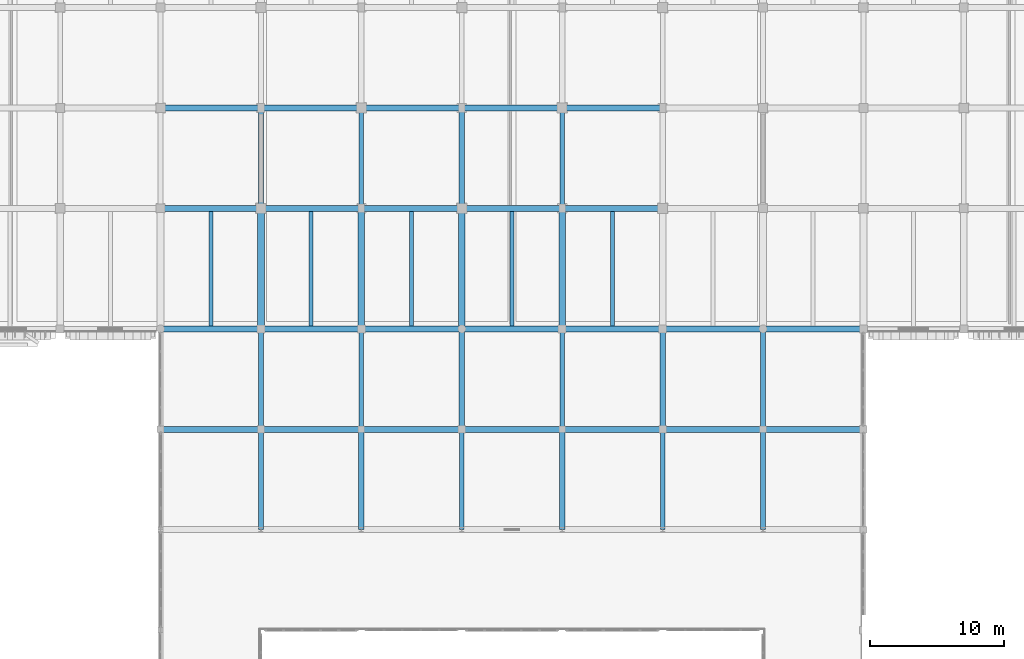
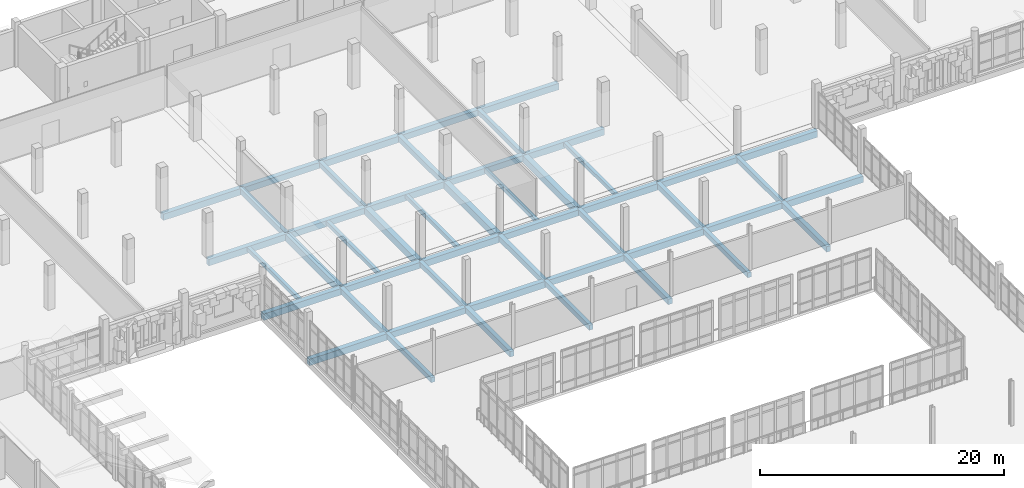
# One storey, part 51 of 128: 49 beams.
"""IFC4 building model written with IfcOpenShell, lengths in metres."""

from ifc_helpers import new_model, si_unit, direction, frame, origin, origin_2d, place, context, subcontext, project, spatial, rectangle, extrude, material, material_profile, profile_set, type_object, element, save


model = new_model("IFC4")

# Units and contexts
model_context = context("Model", 3, precision=1e-05, world=origin(), true_north=direction((0.0, 1.0)))
body_context = subcontext(model_context, "Body", "Model", "MODEL_VIEW")
ifc_project = project(units=[si_unit("LENGTHUNIT", "METRE"), si_unit("AREAUNIT", "SQUARE_METRE"), si_unit("VOLUMEUNIT", "CUBIC_METRE"), si_unit("PLANEANGLEUNIT", "RADIAN"), si_unit("MASSUNIT", "GRAM", prefix="KILO")], contexts=[model_context])

# Site, building, storey
site_placement = place(None, origin())
site = spatial("IfcSite", under=ifc_project, at=site_placement, CompositionType="ELEMENT")
building_placement = place(site_placement, origin())
building = spatial("IfcBuilding", under=site, at=building_placement, Name="Dalvernix Boulevard General Hospital", CompositionType="ELEMENT")
storey_placement = place(building_placement, frame((0.0, 0.0, 4.800048828125)))
storey = spatial("IfcBuildingStorey", under=building, at=storey_placement, Name="L01", CompositionType="ELEMENT", Elevation=4.800048828125)

# Beams
ifc_material = material(Name="Concrete C35/45", Category="concrete")
ifc_material_profile_1 = material_profile(ifc_material, rectangle(XDim=0.5, YDim=0.699951171875, at=origin_2d()), Name="RCB 500x700")
ifc_profile_set_1 = profile_set([ifc_material_profile_1], Name="Concrete C35/45")
beam_type_1 = type_object("IfcBeamType", Name="BM-B-01-I", PredefinedType="BEAM", material=ifc_profile_set_1)
for number, where, z_axis, x_axis, name in (
    (1, (67.5, 76.5, -0.650146484375), (0.0, 1.0, 0.0), (-1.0, 0.0, 0.0), "L01 N-S girder 10:L-M"),
    (2, (75.0, 76.5, -0.650146484375), (0.0, 1.0, 0.0), (-1.0, 0.0, 0.0), "L01 N-S girder 11:L-M"),
    (3, (82.5, 76.5, -0.650146484375), (0.0, 1.0, 0.0), (-1.0, 0.0, 0.0), "L01 N-S girder 12:L-M"),
    (4, (90.0, 76.5, -0.650146484375), (0.0, 1.0, 0.0), (-1.0, 0.0, 0.0), "L01 N-S girder 13:L-M"),
):
    element("IfcBeam", number, at=place(storey_placement, frame(where, z_axis=z_axis, x_axis=x_axis)), inside=storey, type_object=beam_type_1, Name=name, PredefinedType="BEAM", context=body_context, shape_type="SweptSolid", body=[
        extrude(rectangle(XDim=0.5, YDim=0.699951171875, at=origin_2d()), origin(), (0.0, 0.0, 1.0), 9.0),
    ])
ifc_material_profile_2 = material_profile(ifc_material, rectangle(XDim=0.449951171875, YDim=0.64990234375, at=origin_2d()), Name="RCB 450x650")
ifc_profile_set_2 = profile_set([ifc_material_profile_2], Name="Concrete C35/45")
beam_type_2 = type_object("IfcBeamType", Name="BM-B-03-I", PredefinedType="BEAM", material=ifc_profile_set_2)
for number, where, z_axis, x_axis, name in (
    (5, (60.0, 69.0, -0.625), (1.0, 0.0, 0.0), (0.0, 1.0, 0.0), "L01 E-W girder K:9-10"),
    (6, (75.0, 69.0, -0.625), (1.0, 0.0, 0.0), (0.0, 1.0, 0.0), "L01 E-W girder K:11-12"),
    (7, (90.0, 69.0, -0.625), (1.0, 0.0, 0.0), (0.0, 1.0, 0.0), "L01 E-W girder K:13-14"),
    (8, (105.0, 69.0, -0.625), (1.0, 0.0, 0.0), (0.0, 1.0, 0.0), "L01 E-W girder K:15-16"),
    (9, (60.0, 76.5, -0.625), (1.0, 0.0, 0.0), (0.0, 1.0, 0.0), "L01 E-W girder L:9-10"),
    (10, (75.0, 76.5, -0.625), (1.0, 0.0, 0.0), (0.0, 1.0, 0.0), "L01 E-W girder L:11-12"),
    (11, (90.0, 76.5, -0.625), (1.0, 0.0, 0.0), (0.0, 1.0, 0.0), "L01 E-W girder L:13-14"),
    (12, (105.0, 76.5, -0.625), (1.0, 0.0, 0.0), (0.0, 1.0, 0.0), "L01 E-W girder L:15-16"),
    (13, (60.0, 85.5, -0.625), (1.0, 0.0, 0.0), (0.0, 1.0, 0.0), "L01 E-W girder M:9-10"),
    (14, (75.0, 85.5, -0.625), (1.0, 0.0, 0.0), (0.0, 1.0, 0.0), "L01 E-W girder M:11-12"),
    (15, (90.0, 85.5, -0.625), (1.0, 0.0, 0.0), (0.0, 1.0, 0.0), "L01 E-W girder M:13-14"),
    (16, (60.0, 93.0, -0.625), (1.0, 0.0, 0.0), (0.0, 1.0, 0.0), "L01 E-W girder N:9-10"),
    (17, (75.0, 93.0, -0.625), (1.0, 0.0, 0.0), (0.0, 1.0, 0.0), "L01 E-W girder N:11-12"),
    (18, (90.0, 93.0, -0.625), (1.0, 0.0, 0.0), (0.0, 1.0, 0.0), "L01 E-W girder N:13-14"),
):
    element("IfcBeam", number, at=place(storey_placement, frame(where, z_axis=z_axis, x_axis=x_axis)), inside=storey, type_object=beam_type_2, Name=name, PredefinedType="BEAM", context=body_context, shape_type="SweptSolid", body=[
        extrude(rectangle(XDim=0.449951171875, YDim=0.64990234375, at=origin_2d()), origin(), (0.0, 0.0, 1.0), 7.5),
    ])
ifc_material_profile_3 = material_profile(ifc_material, rectangle(XDim=0.449951171875, YDim=0.60009765625, at=origin_2d()), Name="RCB 450x600")
ifc_profile_set_3 = profile_set([ifc_material_profile_3], Name="Concrete C35/45")
beam_type_3 = type_object("IfcBeamType", Name="BM-B-04-I", PredefinedType="BEAM", material=ifc_profile_set_3)
for number, where, z_axis, x_axis, name in (
    (19, (67.5, 69.0, -0.60009765625), (1.0, 0.0, 0.0), (0.0, 1.0, 0.0), "L01 E-W girder K:10-11"),
    (20, (82.5, 69.0, -0.60009765625), (1.0, 0.0, 0.0), (0.0, 1.0, 0.0), "L01 E-W girder K:12-13"),
    (21, (97.5, 69.0, -0.60009765625), (1.0, 0.0, 0.0), (0.0, 1.0, 0.0), "L01 E-W girder K:14-15"),
    (22, (67.5, 76.5, -0.60009765625), (1.0, 0.0, 0.0), (0.0, 1.0, 0.0), "L01 E-W girder L:10-11"),
    (23, (82.5, 76.5, -0.60009765625), (1.0, 0.0, 0.0), (0.0, 1.0, 0.0), "L01 E-W girder L:12-13"),
    (24, (97.5, 76.5, -0.60009765625), (1.0, 0.0, 0.0), (0.0, 1.0, 0.0), "L01 E-W girder L:14-15"),
    (25, (67.5, 85.5, -0.60009765625), (1.0, 0.0, 0.0), (0.0, 1.0, 0.0), "L01 E-W girder M:10-11"),
    (26, (82.5, 85.5, -0.60009765625), (1.0, 0.0, 0.0), (0.0, 1.0, 0.0), "L01 E-W girder M:12-13"),
    (27, (67.5, 93.0, -0.60009765625), (1.0, 0.0, 0.0), (0.0, 1.0, 0.0), "L01 E-W girder N:10-11"),
    (28, (82.5, 93.0, -0.60009765625), (1.0, 0.0, 0.0), (0.0, 1.0, 0.0), "L01 E-W girder N:12-13"),
):
    element("IfcBeam", number, at=place(storey_placement, frame(where, z_axis=z_axis, x_axis=x_axis)), inside=storey, type_object=beam_type_3, Name=name, PredefinedType="BEAM", context=body_context, shape_type="SweptSolid", body=[
        extrude(rectangle(XDim=0.449951171875, YDim=0.60009765625, at=origin_2d()), origin(), (0.0, 0.0, 1.0), 7.5),
    ])
ifc_material_profile_4 = material_profile(ifc_material, rectangle(XDim=0.39990234375, YDim=0.550048828125, at=origin_2d()), Name="RCB 400x550")
ifc_profile_set_4 = profile_set([ifc_material_profile_4], Name="Concrete C35/45")
beam_type_4 = type_object("IfcBeamType", Name="BM-B-06-I", PredefinedType="BEAM", material=ifc_profile_set_4)
for number, where, z_axis, x_axis, name in (
    (29, (67.5, 69.0, -0.574951171875), (0.0, 1.0, 0.0), (-1.0, 0.0, 0.0), "L01 N-S girder 10:K-L"),
    (30, (67.5, 85.5, -0.574951171875), (0.0, 1.0, 0.0), (-1.0, 0.0, 0.0), "L01 N-S girder 10:M-N"),
    (31, (75.0, 61.5, -0.574951171875), (0.0, 1.0, 0.0), (-1.0, 0.0, 0.0), "L01 N-S girder 11:J-K"),
    (32, (82.5, 69.0, -0.574951171875), (0.0, 1.0, 0.0), (-1.0, 0.0, 0.0), "L01 N-S girder 12:K-L"),
    (33, (82.5, 85.5, -0.574951171875), (0.0, 1.0, 0.0), (-1.0, 0.0, 0.0), "L01 N-S girder 12:M-N"),
    (34, (90.0, 61.5, -0.574951171875), (0.0, 1.0, 0.0), (-1.0, 0.0, 0.0), "L01 N-S girder 13:J-K"),
    (35, (97.5, 69.0, -0.574951171875), (0.0, 1.0, 0.0), (-1.0, 0.0, 0.0), "L01 N-S girder 14:K-L"),
    (36, (105.0, 61.5, -0.574951171875), (0.0, 1.0, 0.0), (-1.0, 0.0, 0.0), "L01 N-S girder 15:J-K"),
):
    element("IfcBeam", number, at=place(storey_placement, frame(where, z_axis=z_axis, x_axis=x_axis)), inside=storey, type_object=beam_type_4, Name=name, PredefinedType="BEAM", context=body_context, shape_type="SweptSolid", body=[
        extrude(rectangle(XDim=0.39990234375, YDim=0.550048828125, at=origin_2d()), origin(), (0.0, 0.0, 1.0), 7.5),
    ])
ifc_material_profile_5 = material_profile(ifc_material, rectangle(XDim=0.35009765625, YDim=0.5, at=origin_2d()), Name="RCB 350x500")
ifc_profile_set_5 = profile_set([ifc_material_profile_5], Name="Concrete C35/45")
beam_type_5 = type_object("IfcBeamType", Name="BM-B-08-I", PredefinedType="BEAM", material=ifc_profile_set_5)
for number, where, z_axis, x_axis, name in (
    (37, (67.5, 61.5, -0.550048828125), (0.0, 1.0, 0.0), (-1.0, 0.0, 0.0), "L01 N-S girder 10:J-K"),
    (38, (75.0, 69.0, -0.550048828125), (0.0, 1.0, 0.0), (-1.0, 0.0, 0.0), "L01 N-S girder 11:K-L"),
    (39, (75.0, 85.5, -0.550048828125), (0.0, 1.0, 0.0), (-1.0, 0.0, 0.0), "L01 N-S girder 11:M-N"),
    (40, (82.5, 61.5, -0.550048828125), (0.0, 1.0, 0.0), (-1.0, 0.0, 0.0), "L01 N-S girder 12:J-K"),
    (41, (90.0, 69.0, -0.550048828125), (0.0, 1.0, 0.0), (-1.0, 0.0, 0.0), "L01 N-S girder 13:K-L"),
    (42, (90.0, 85.5, -0.550048828125), (0.0, 1.0, 0.0), (-1.0, 0.0, 0.0), "L01 N-S girder 13:M-N"),
    (43, (97.5, 61.5, -0.550048828125), (0.0, 1.0, 0.0), (-1.0, 0.0, 0.0), "L01 N-S girder 14:J-K"),
    (44, (105.0, 69.0, -0.550048828125), (0.0, 1.0, 0.0), (-1.0, 0.0, 0.0), "L01 N-S girder 15:K-L"),
):
    element("IfcBeam", number, at=place(storey_placement, frame(where, z_axis=z_axis, x_axis=x_axis)), inside=storey, type_object=beam_type_5, Name=name, PredefinedType="BEAM", context=body_context, shape_type="SweptSolid", body=[
        extrude(rectangle(XDim=0.35009765625, YDim=0.5, at=origin_2d()), origin(), (0.0, 0.0, 1.0), 7.5),
    ])
ifc_material_profile_6 = material_profile(ifc_material, rectangle(XDim=0.300048828125, YDim=0.39990234375, at=origin_2d()), Name="RCB 300x400")
ifc_profile_set_6 = profile_set([ifc_material_profile_6], Name="Concrete C35/45")
beam_type_6 = type_object("IfcBeamType", Name="BM-JB-01", PredefinedType="JOIST", material=ifc_profile_set_6)
for number, where, z_axis, x_axis, name in (
    (45, (63.75, 76.72509765625, -0.5), (0.0, 1.0, 0.0), (-1.0, 0.0, 0.0), "L01 secondary floor beam 9-L"),
    (46, (71.25, 76.72509765625, -0.5), (0.0, 1.0, 0.0), (-1.0, 0.0, 0.0), "L01 secondary floor beam 10-L"),
    (47, (78.75, 76.72509765625, -0.5), (0.0, 1.0, 0.0), (-1.0, 0.0, 0.0), "L01 secondary floor beam 11-L"),
    (48, (86.25, 76.72509765625, -0.5), (0.0, 1.0, 0.0), (-1.0, 0.0, 0.0), "L01 secondary floor beam 12-L"),
    (49, (93.75, 76.72509765625, -0.5), (0.0, 1.0, 0.0), (-1.0, 0.0, 0.0), "L01 secondary floor beam 13-L"),
):
    element("IfcBeam", number, at=place(storey_placement, frame(where, z_axis=z_axis, x_axis=x_axis)), inside=storey, type_object=beam_type_6, Name=name, PredefinedType="JOIST", context=body_context, shape_type="SweptSolid", body=[
        extrude(rectangle(XDim=0.300048828125, YDim=0.39990234375, at=origin_2d()), origin(), (0.0, 0.0, 1.0), 8.5498046875),
    ])

save(model, "model.ifc")
